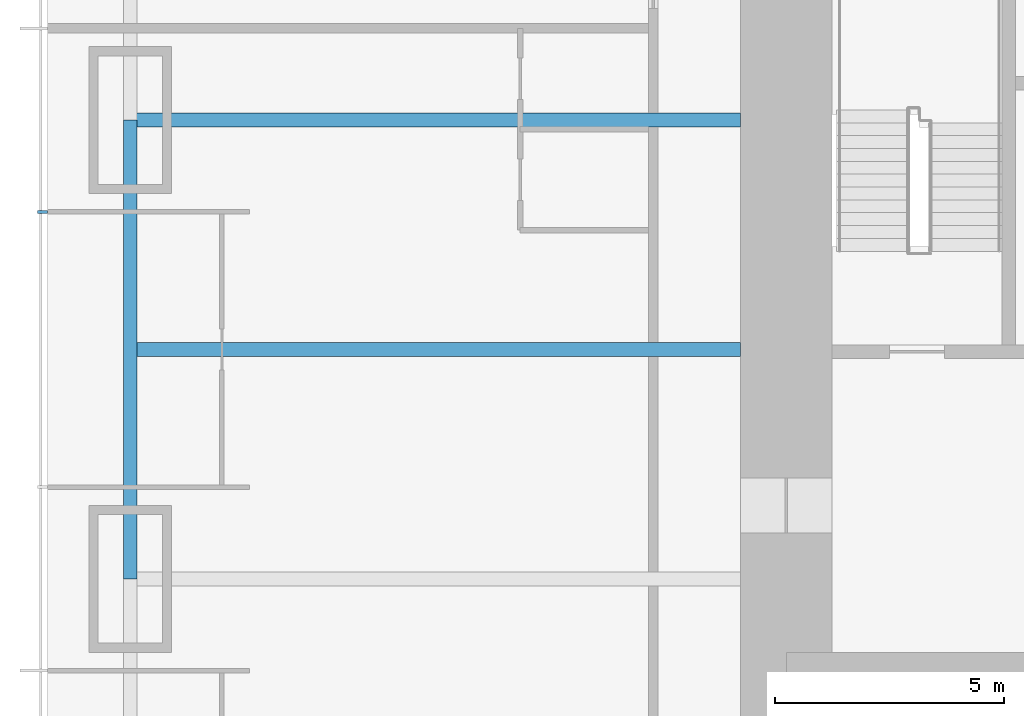
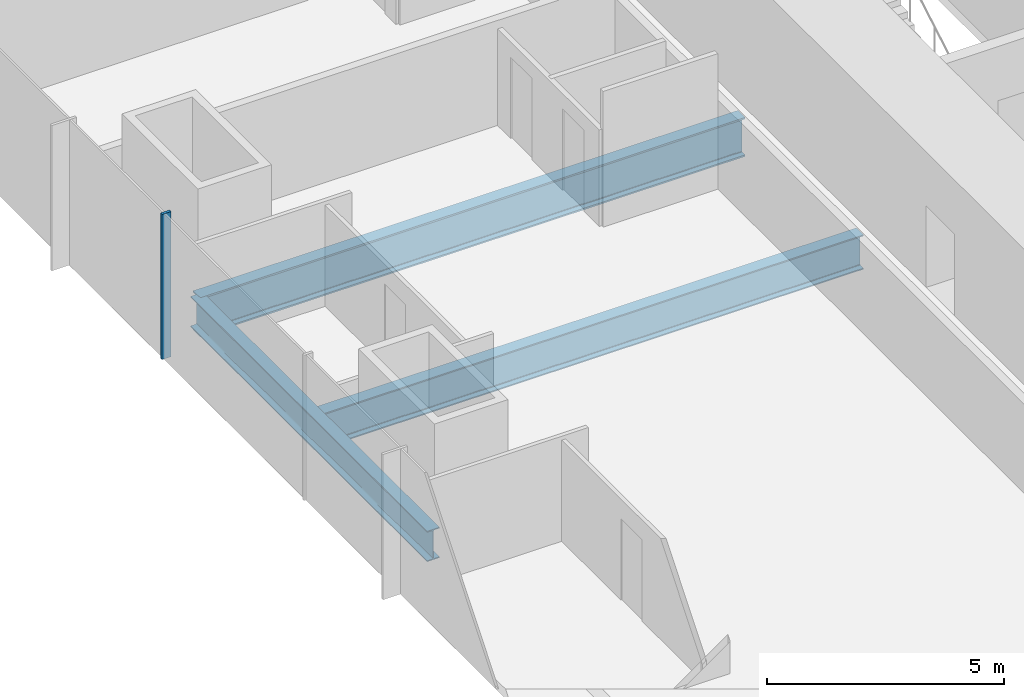
# One storey, part 3 of 17: 3 beams, 1 member, 1 element without a shape of its own.
"""IFC4 building model written with IfcOpenShell, lengths in metres."""

import ifcopenshell
import ifcopenshell.guid

model = None  # the IFC model being written
_history = None  # IfcOwnerHistory: only IFC2X3 demands one
_inside = {}  # id of a spatial element -> (the spatial element, [elements in it])
_under = {}  # id of a project, library or spatial element -> (it, [spatial elements below it])
_declared = {}  # id of a project -> (the project, [libraries it declares])
_typed = {}  # id of a type object -> (the type object, [elements of that type])
_made_of = {}  # id of a material, layer set ... -> (it, [elements and type objects made of it])


def new_model(schema):
    """Start an empty IFC model of exactly this schema.

    Asked for "IFC4X3", IfcOpenShell would pick the latest addendum, in which some entities
    have other attributes; the version numbers below select the first issue.
    IFC2X3 requires an IfcOwnerHistory on every rooted entity: one is made here for all.
    """
    global model, _history
    if schema == "IFC4X3":
        model = ifcopenshell.file(schema_version=(4, 3, 0, 0))
    else:
        model = ifcopenshell.file(schema=schema)
    _inside.clear()
    _under.clear()
    _declared.clear()
    _typed.clear()
    _made_of.clear()
    _history = None
    if model.schema == "IFC2X3":
        org = make("IfcOrganization", Name="unknown")
        user = make(
            "IfcPersonAndOrganization",
            ThePerson=make("IfcPerson", FamilyName="unknown"),
            TheOrganization=org,
        )
        app = make(
            "IfcApplication",
            ApplicationDeveloper=org,
            Version="unknown",
            ApplicationFullName="unknown",
            ApplicationIdentifier="unknown",
        )
        _history = make(
            "IfcOwnerHistory",
            OwningUser=user,
            OwningApplication=app,
            ChangeAction="ADDED",
            CreationDate=0,
        )
    return model


def make(cls, **values):
    """One entity of the class cls with the attributes given. An attribute that is None is left unset."""
    return model.create_entity(
        cls, **{name: value for name, value in values.items() if value is not None}
    )


def rooted(cls, **values):
    """An entity with a GlobalId (a new one), such as an element, a storey or a relation."""
    return make(cls, GlobalId=ifcopenshell.guid.new(), OwnerHistory=_history, **values)


def si_unit(unit_type, name, prefix=None):
    """IfcSIUnit, for example si_unit("LENGTHUNIT", "METRE", prefix="MILLI")."""
    return make("IfcSIUnit", UnitType=unit_type, Prefix=prefix, Name=name)


def assignment(units):
    """IfcUnitAssignment: the units of a project."""
    return None if units is None else make("IfcUnitAssignment", Units=units)


def point(xyz):
    """IfcCartesianPoint."""
    return None if xyz is None else make("IfcCartesianPoint", Coordinates=xyz)


def direction(xyz):
    """IfcDirection."""
    return None if xyz is None else make("IfcDirection", DirectionRatios=xyz)


def frame(location, z_axis=None, x_axis=None):
    """IfcAxis2Placement3D, a coordinate frame: its origin and axes. An axis left out is left unset."""
    return make(
        "IfcAxis2Placement3D",
        Location=point(location),
        Axis=direction(z_axis),
        RefDirection=direction(x_axis),
    )


def frame_2d(location, x_axis=None):
    """IfcAxis2Placement2D, a coordinate frame in the plane: its origin and x axis."""
    return make(
        "IfcAxis2Placement2D", Location=point(location), RefDirection=direction(x_axis)
    )


def origin():
    """The frame at (0, 0, 0) with its axes left unset."""
    return frame((0.0, 0.0, 0.0))


def origin_2d():
    """The frame at (0, 0) in the plane with its x axis left unset."""
    return frame_2d((0.0, 0.0))


def place(relative_to, where):
    """IfcLocalPlacement: puts the frame where relative to a parent placement (None: the world)."""
    return make(
        "IfcLocalPlacement", PlacementRelTo=relative_to, RelativePlacement=where
    )


def context(
    kind, dimensions, precision=None, world=None, true_north=None, identifier=None
):
    """IfcGeometricRepresentationContext, for example the 3D "Model" context."""
    return make(
        "IfcGeometricRepresentationContext",
        ContextIdentifier=identifier,
        ContextType=kind,
        CoordinateSpaceDimension=dimensions,
        Precision=precision,
        WorldCoordinateSystem=world,
        TrueNorth=true_north,
    )


def subcontext(parent, identifier, kind, view, scale=None):
    """IfcGeometricRepresentationSubContext, for example "Body" below "Model"."""
    return make(
        "IfcGeometricRepresentationSubContext",
        ContextIdentifier=identifier,
        ContextType=kind,
        ParentContext=parent,
        TargetScale=scale,
        TargetView=view,
    )


def project(units=None, contexts=None):
    """IfcProject with its units and contexts."""
    return rooted(
        "IfcProject",
        Name="project",
        RepresentationContexts=contexts,
        UnitsInContext=assignment(units),
    )


def spatial(cls, under=None, at=None, **own):
    """A site, building, storey or space (cls), placed at a placement, below another one or the project."""
    s = rooted(cls, ObjectPlacement=at, **own)
    if under is not None:
        _under.setdefault(under.id(), (under, []))[1].append(s)
    return s


def profile(cls, at=None, kind="AREA", **sizes):
    """A parametric profile (cls). Its sizes go by their IFC names, for example OverallWidth=200.0."""
    return make(cls, ProfileType=kind, Position=at, **sizes)


def rectangle(**sizes):
    """IfcRectangleProfileDef."""
    return profile("IfcRectangleProfileDef", **sizes)


def i_section(**sizes):
    """IfcIShapeProfileDef."""
    return profile("IfcIShapeProfileDef", **sizes)


def extrude(swept, where, along, depth):
    """IfcExtrudedAreaSolid: the profile swept, set in the frame where, extruded along a direction by depth."""
    return make(
        "IfcExtrudedAreaSolid",
        SweptArea=swept,
        Position=where,
        ExtrudedDirection=direction(along),
        Depth=depth,
    )


def shape(context_of_items, identifier, shape_type, items):
    """IfcShapeRepresentation: the items that make up one representation, for example the "Body"."""
    return make(
        "IfcShapeRepresentation",
        ContextOfItems=context_of_items,
        RepresentationIdentifier=identifier,
        RepresentationType=shape_type,
        Items=items,
    )


def material(Name=None, Category=None):
    """IfcMaterial."""
    return make("IfcMaterial", Name=Name, Category=Category)


def material_profile(
    of_material, cross_section, Name=None, Category=None, Priority=None
):
    """IfcMaterialProfile: a cross section and its material."""
    return make(
        "IfcMaterialProfile",
        Name=Name,
        Material=of_material,
        Profile=cross_section,
        Priority=Priority,
        Category=Category,
    )


def profile_set(profiles, Name=None, composite=None):
    """IfcMaterialProfileSet."""
    return make(
        "IfcMaterialProfileSet",
        Name=Name,
        MaterialProfiles=profiles,
        CompositeProfile=composite,
    )


def made_of(thing, what):
    """Note that an element or type object is made of a material, layer set ...; save() writes the relation."""
    if what is not None:
        _made_of.setdefault(what.id(), (what, []))[1].append(thing)
    return thing


def type_object(cls, material=None, **own):
    """A type object (cls), such as IfcWallType, which elements share."""
    return made_of(rooted(cls, **own), material)


def element(
    cls,
    number,
    at=None,
    inside=None,
    cuts=None,
    type_object=None,
    material=None,
    context=None,
    identifier="Body",
    shape_type=None,
    held_by="IfcProductDefinitionShape",
    body=None,
    shapes=None,
    **own,
):
    """One element of the class cls, such as IfcWall. Its Tag is "e" and its number.

    at: its placement. inside: the storey or other place that contains it. cuts: it is an
    opening in that element (IfcRelVoidsElement). A single representation is given by context,
    identifier, shape_type and body (its items); several are given by shapes. held_by: the class
    of the entity that holds the representations. save() writes the other relations.
    """
    e = rooted(cls, Tag="e%d" % number, ObjectPlacement=at, **own)
    if body is not None:
        shapes = [shape(context, identifier, shape_type, body)]
    if shapes is not None:
        e.Representation = make(held_by, Representations=shapes)
    if inside is not None:
        _inside.setdefault(inside.id(), (inside, []))[1].append(e)
    if cuts is not None:
        rooted(
            "IfcRelVoidsElement", RelatingBuildingElement=cuts, RelatedOpeningElement=e
        )
    if type_object is not None:
        _typed.setdefault(type_object.id(), (type_object, []))[1].append(e)
    return made_of(e, material)


def aggregate(whole, parts):
    """IfcRelAggregates: a whole, such as a stair, and the parts it consists of."""
    return rooted("IfcRelAggregates", RelatingObject=whole, RelatedObjects=parts)


def save(model, path):
    """Write the relations noted so far, then the file.

    IfcRelAggregates (storeys below a building ...), IfcRelContainedInSpatialStructure (elements
    in a storey), IfcRelDefinesByType, IfcRelAssociatesMaterial and IfcRelDeclares: one each for
    every whole, place, type object, material and project.
    """
    for whole, parts in _under.values():
        aggregate(whole, parts)
    for where, things in _inside.values():
        rooted(
            "IfcRelContainedInSpatialStructure",
            RelatedElements=things,
            RelatingStructure=where,
        )
    for kind, things in _typed.values():
        rooted("IfcRelDefinesByType", RelatedObjects=things, RelatingType=kind)
    for what, things in _made_of.values():
        rooted("IfcRelAssociatesMaterial", RelatedObjects=things, RelatingMaterial=what)
    for by, libraries in _declared.values():
        rooted("IfcRelDeclares", RelatingContext=by, RelatedDefinitions=libraries)
    model.write(path)


model = new_model("IFC4")

# Units and contexts
model_context = context("Model", 3, precision=1e-05, world=origin(), true_north=direction((0.0, 1.0)))
body_context = subcontext(model_context, "Body", "Model", "MODEL_VIEW")
ifc_project = project(units=[si_unit("LENGTHUNIT", "METRE"), si_unit("AREAUNIT", "SQUARE_METRE"), si_unit("VOLUMEUNIT", "CUBIC_METRE"), si_unit("PLANEANGLEUNIT", "RADIAN"), si_unit("MASSUNIT", "GRAM", prefix="KILO")], contexts=[model_context])

# Site, building, storey
site_placement = place(None, origin())
site = spatial("IfcSite", under=ifc_project, at=site_placement, CompositionType="ELEMENT")
building_placement = place(site_placement, origin())
building = spatial("IfcBuilding", under=site, at=building_placement, Name="Khuree Lantern Residences", CompositionType="ELEMENT")
storey_placement = place(building_placement, frame((0.0, 0.0, 39.75)))
storey = spatial("IfcBuildingStorey", under=building, at=storey_placement, Name="L09", CompositionType="ELEMENT", Elevation=39.75)

# Beams
ifc_material_1 = material(Name="Steel S355", Category="steel")
ifc_material_profile_1 = material_profile(ifc_material_1, i_section(OverallWidth=0.300048828125, OverallDepth=0.889892578125, WebThickness=0.01611328125, FlangeThickness=0.030029296875, FilletRadius=0.030029296875, at=origin_2d()), Name="HE 900 A")
ifc_profile_set_1 = profile_set([ifc_material_profile_1], Name="Steel S355")
beam_type_1 = type_object("IfcBeamType", Name="B-12 SECONDARY BEAM HE 900 A", PredefinedType="BEAM", material=ifc_profile_set_1)
beam_1_placement = place(storey_placement, frame((-29.800048828125, -5.0, -0.695068359375), z_axis=(1.0, 0.0, 0.0), x_axis=(0.0, 1.0, 0.0)))
element("IfcBeam", 1, at=beam_1_placement, inside=storey, type_object=beam_type_1, Name="Secondary beam W3", PredefinedType="BEAM", context=body_context, shape_type="SweptSolid", body=[
    extrude(i_section(OverallWidth=0.300048828125, OverallDepth=0.889892578125, WebThickness=0.01611328125, FlangeThickness=0.030029296875, FilletRadius=0.030029296875, at=origin_2d()), origin(), (0.0, 0.0, 1.0), 13.300048828125),
])
ifc_material_profile_2 = material_profile(ifc_material_1, i_section(OverallWidth=0.300048828125, OverallDepth=0.7900390625, WebThickness=0.014892578125, FlangeThickness=0.028076171875, FilletRadius=0.030029296875, at=origin_2d()), Name="HE 800 A")
ifc_profile_set_2 = profile_set([ifc_material_profile_2], Name="Steel S355")
beam_type_2 = type_object("IfcBeamType", Name="E-12 SPANDREL BEAM HE 800 A", PredefinedType="SPANDREL", material=ifc_profile_set_2)
beam_2_placement = place(storey_placement, frame((-29.800048828125, -10.0, -0.64501953125), z_axis=(0.0, 1.0, 0.0), x_axis=(-1.0, 0.0, 0.0)))
element("IfcBeam", 2, at=beam_2_placement, inside=storey, type_object=beam_type_2, Name="Spandrel beam W3", PredefinedType="SPANDREL", context=body_context, shape_type="SweptSolid", body=[
    extrude(i_section(OverallWidth=0.300048828125, OverallDepth=0.7900390625, WebThickness=0.014892578125, FlangeThickness=0.028076171875, FilletRadius=0.030029296875, at=origin_2d()), origin(), (0.0, 0.0, 1.0), 10.0),
])
ifc_material_profile_3 = material_profile(ifc_material_1, i_section(OverallWidth=0.302001953125, OverallDepth=1.008056640625, WebThickness=0.02099609375, FlangeThickness=0.0400390625, FilletRadius=0.030029296875, at=origin_2d()), Name="HE 1000 M")
ifc_profile_set_3 = profile_set([ifc_material_profile_3], Name="Steel S355")
beam_type_3 = type_object("IfcBeamType", Name="G-12 GIRDER HE 1000 M", PredefinedType="BEAM", material=ifc_profile_set_3)
beam_3_placement = place(storey_placement, frame((-29.800048828125, 0.0, -0.75390625), z_axis=(1.0, 0.0, 0.0), x_axis=(0.0, 1.0, 0.0)))
element("IfcBeam", 3, at=beam_3_placement, inside=storey, type_object=beam_type_3, Name="Girder W3", PredefinedType="BEAM", context=body_context, shape_type="SweptSolid", body=[
    extrude(i_section(OverallWidth=0.302001953125, OverallDepth=1.008056640625, WebThickness=0.02099609375, FlangeThickness=0.0400390625, FilletRadius=0.030029296875, at=origin_2d()), origin(), (0.0, 0.0, 1.0), 13.300048828125),
])

# Curtain wall, member
ifc_material_2 = material(Name="Bronze anodised aluminium", Category="aluminium")
curtain_wall_type = type_object("IfcCurtainWallType", Name="CW-T1 TOWER FACE CURTAIN WALL", PredefinedType="USERDEFINED", material=ifc_material_2)
curtain_wall_placement = place(storey_placement, origin())
curtain_wall = element("IfcCurtainWall", 4, at=curtain_wall_placement, inside=storey, type_object=curtain_wall_type, Name="L09 WEST FACE CURTAIN WALL", ObjectType="Stick-built curtain wall", PredefinedType="USERDEFINED")
ifc_material_profile_4 = material_profile(ifc_material_2, rectangle(XDim=0.06494140625, YDim=0.219970703125, at=origin_2d()), Name="M1 65X220")
ifc_profile_set_4 = profile_set([ifc_material_profile_4], Name="Bronze anodised aluminium")
member_type = type_object("IfcMemberType", Name="M1 BRONZE MULLION TOWER 65X220", PredefinedType="MULLION", material=ifc_profile_set_4)
member_placement = place(storey_placement, frame((-31.7099609375, -2.0, 0.0), z_axis=(0.0, 0.0, 1.0), x_axis=(0.0, -1.0, 0.0)))
member = element("IfcMember", 5, at=member_placement, type_object=member_type, Name="L09 WEST FACE MULLION 38", PredefinedType="MULLION", context=body_context, shape_type="SweptSolid", body=[
    extrude(rectangle(XDim=0.06494140625, YDim=0.219970703125, at=origin_2d()), origin(), (0.0, 0.0, 1.0), 3.75),
])
aggregate(curtain_wall, [member])

save(model, "model.ifc")
